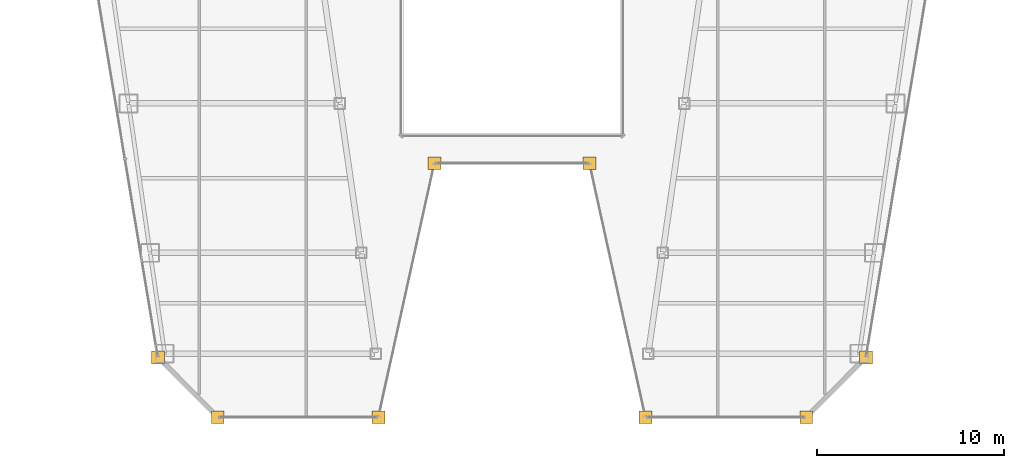
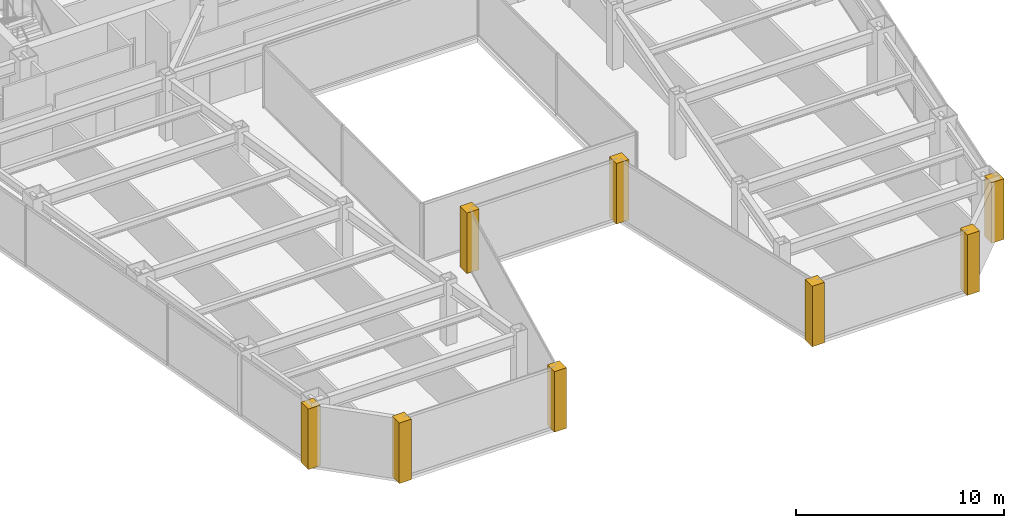
# One storey, part 36 of 38: 8 coverings.
"""IFC4 building model written with IfcOpenShell, lengths in metres."""

from ifc_helpers import new_model, si_unit, direction, frame, origin, place, context, subcontext, project, spatial, polyline, outline, extrude, material, layer, layer_set, type_object, element, save


model = new_model("IFC4")

# Units and contexts
model_context = context("Model", 3, precision=1e-05, world=origin(), true_north=direction((0.0, 1.0)))
body_context = subcontext(model_context, "Body", "Model", "MODEL_VIEW")
ifc_project = project(units=[si_unit("LENGTHUNIT", "METRE"), si_unit("AREAUNIT", "SQUARE_METRE"), si_unit("VOLUMEUNIT", "CUBIC_METRE"), si_unit("PLANEANGLEUNIT", "RADIAN"), si_unit("MASSUNIT", "GRAM", prefix="KILO")], contexts=[model_context])

# Site, building, storey
site_placement = place(None, origin())
site = spatial("IfcSite", under=ifc_project, at=site_placement, CompositionType="ELEMENT")
building_placement = place(site_placement, origin())
building = spatial("IfcBuilding", under=site, at=building_placement, Name="Saevonmaru Cultural Tower", CompositionType="ELEMENT")
storey_placement = place(building_placement, frame((0.0, 0.0, 133.39990234375)))
storey = spatial("IfcBuildingStorey", under=building, at=storey_placement, Name="L28", CompositionType="ELEMENT", Elevation=133.39990234375)

# Coverings
ifc_material = material(Name="Satin Bronze Anodised Aluminium", Category="aluminium")
ifc_layer = layer(ifc_material, 0.679931640625, Name="Satin Bronze Anodised Aluminium")
ifc_layer_set = layer_set([ifc_layer], Name="Satin Bronze Anodised Aluminium")
covering_type = type_object("IfcCoveringType", Name="CV-CORNER-CLAD", PredefinedType="CLADDING", material=ifc_layer_set)
covering_1_placement = place(storey_placement, origin())
element("IfcCovering", 1, at=covering_1_placement, inside=storey, type_object=covering_type, Name="L28 Tower Bronze Corner Cladding Pier 1", PredefinedType="CLADDING", context=body_context, shape_type="SweptSolid", body=[
    extrude(outline(polyline([(10.708984375, 10.06005859375), (11.388916015625, 10.06005859375), (11.388916015625, 10.739990234375), (10.708984375, 10.739990234375), (10.708984375, 10.06005859375)])), origin(), (0.0, 0.0, 1.0), 3.550048828125),
])
covering_2_placement = place(storey_placement, origin())
element("IfcCovering", 2, at=covering_2_placement, inside=storey, type_object=covering_type, Name="L28 Tower Bronze Corner Cladding Pier 2", PredefinedType="CLADDING", context=body_context, shape_type="SweptSolid", body=[
    extrude(outline(polyline([(13.908935546875, 6.860107421875), (14.589111328125, 6.860107421875), (14.589111328125, 7.5400390625), (13.908935546875, 7.5400390625), (13.908935546875, 6.860107421875)])), origin(), (0.0, 0.0, 1.0), 3.550048828125),
])
covering_3_placement = place(storey_placement, origin())
element("IfcCovering", 3, at=covering_3_placement, inside=storey, type_object=covering_type, Name="L28 Tower Bronze Corner Cladding Pier 3", PredefinedType="CLADDING", context=body_context, shape_type="SweptSolid", body=[
    extrude(outline(polyline([(22.509033203125, 6.860107421875), (23.18896484375, 6.860107421875), (23.18896484375, 7.5400390625), (22.509033203125, 7.5400390625), (22.509033203125, 6.860107421875)])), origin(), (0.0, 0.0, 1.0), 3.550048828125),
])
covering_4_placement = place(storey_placement, origin())
element("IfcCovering", 4, at=covering_4_placement, inside=storey, type_object=covering_type, Name="L28 Tower Bronze Corner Cladding Pier 4", PredefinedType="CLADDING", context=body_context, shape_type="SweptSolid", body=[
    extrude(outline(polyline([(25.509033203125, 20.4599609375), (26.18896484375, 20.4599609375), (26.18896484375, 21.139892578125), (25.509033203125, 21.139892578125), (25.509033203125, 20.4599609375)])), origin(), (0.0, 0.0, 1.0), 3.550048828125),
])
covering_5_placement = place(storey_placement, origin())
element("IfcCovering", 5, at=covering_5_placement, inside=storey, type_object=covering_type, Name="L28 Tower Bronze Corner Cladding Pier 5", PredefinedType="CLADDING", context=body_context, shape_type="SweptSolid", body=[
    extrude(outline(polyline([(33.81103515625, 20.4599609375), (34.490966796875, 20.4599609375), (34.490966796875, 21.139892578125), (33.81103515625, 21.139892578125), (33.81103515625, 20.4599609375)])), origin(), (0.0, 0.0, 1.0), 3.550048828125),
])
covering_6_placement = place(storey_placement, origin())
element("IfcCovering", 6, at=covering_6_placement, inside=storey, type_object=covering_type, Name="L28 Tower Bronze Corner Cladding Pier 6", PredefinedType="CLADDING", context=body_context, shape_type="SweptSolid", body=[
    extrude(outline(polyline([(36.81103515625, 6.860107421875), (37.490966796875, 6.860107421875), (37.490966796875, 7.5400390625), (36.81103515625, 7.5400390625), (36.81103515625, 6.860107421875)])), origin(), (0.0, 0.0, 1.0), 3.550048828125),
])
covering_7_placement = place(storey_placement, origin())
element("IfcCovering", 7, at=covering_7_placement, inside=storey, type_object=covering_type, Name="L28 Tower Bronze Corner Cladding Pier 7", PredefinedType="CLADDING", context=body_context, shape_type="SweptSolid", body=[
    extrude(outline(polyline([(45.410888671875, 6.860107421875), (46.091064453125, 6.860107421875), (46.091064453125, 7.5400390625), (45.410888671875, 7.5400390625), (45.410888671875, 6.860107421875)])), origin(), (0.0, 0.0, 1.0), 3.550048828125),
])
covering_8_placement = place(storey_placement, origin())
element("IfcCovering", 8, at=covering_8_placement, inside=storey, type_object=covering_type, Name="L28 Tower Bronze Corner Cladding Pier 8", PredefinedType="CLADDING", context=body_context, shape_type="SweptSolid", body=[
    extrude(outline(polyline([(48.611083984375, 10.06005859375), (49.291015625, 10.06005859375), (49.291015625, 10.739990234375), (48.611083984375, 10.739990234375), (48.611083984375, 10.06005859375)])), origin(), (0.0, 0.0, 1.0), 3.550048828125),
])

save(model, "model.ifc")
